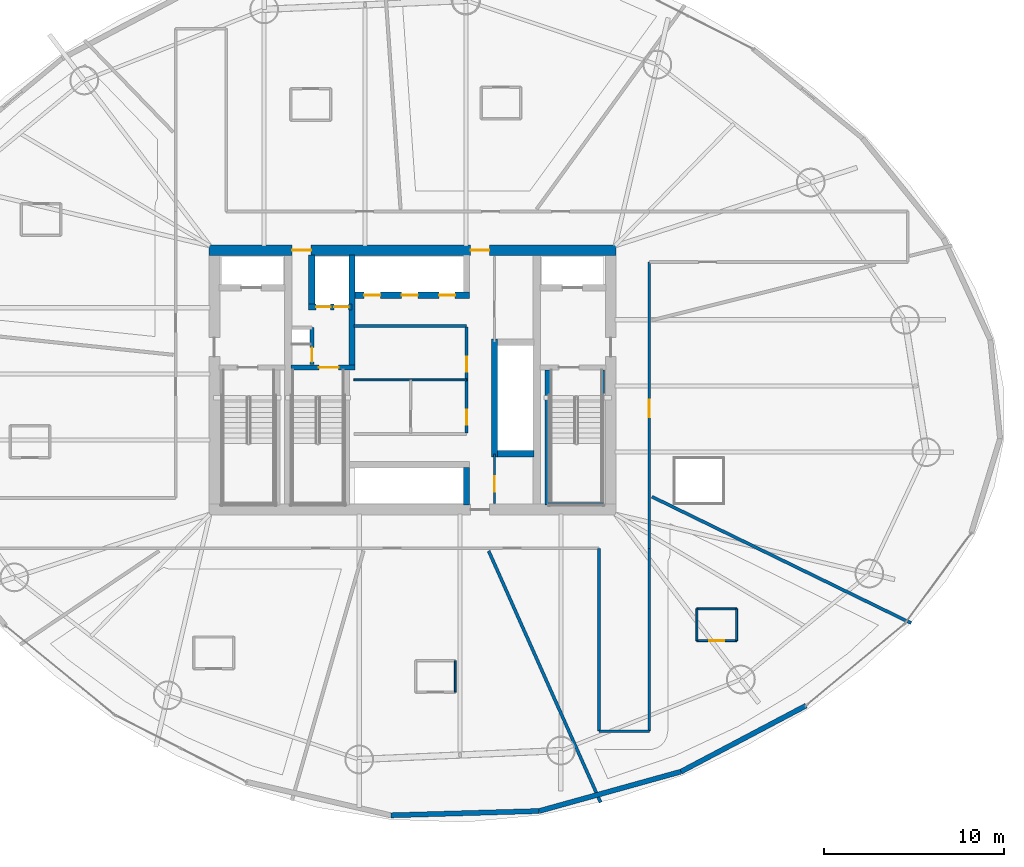
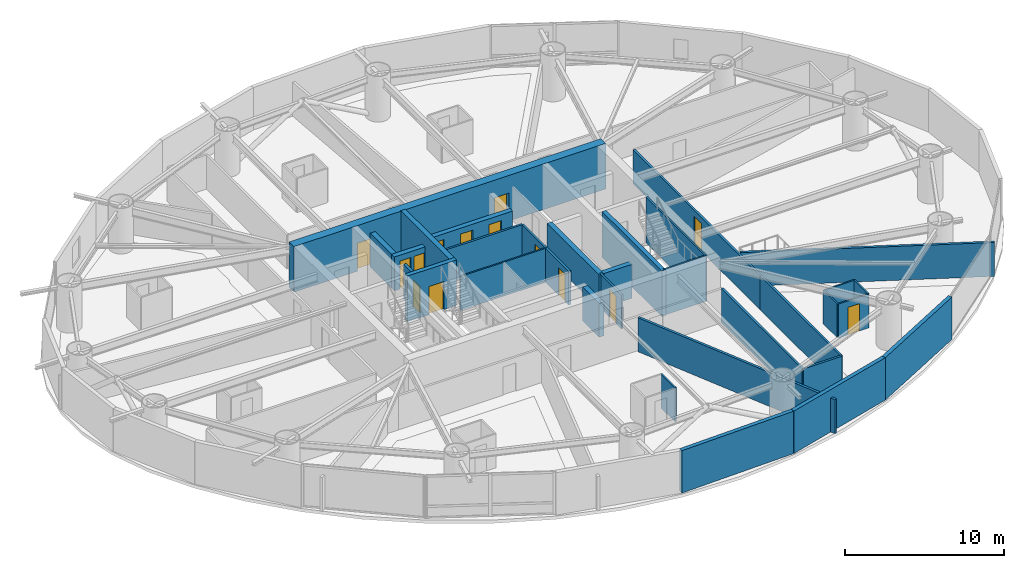
# One storey, part 15 of 20: 31 walls, 14 doors, 14 openings.
"""IFC4 building model written with IfcOpenShell, lengths in metres."""

from ifc_helpers import new_model, si_unit, direction, frame, frame_2d, origin, place, context, subcontext, project, spatial, rectangle, extrude, material, layer, layer_set, type_object, element, fill, save


model = new_model("IFC4")

# Units and contexts
model_context = context("Model", 3, precision=1e-05, world=origin(), true_north=direction((0.0, 1.0)))
body_context = subcontext(model_context, "Body", "Model", "MODEL_VIEW")
ifc_project = project(units=[si_unit("LENGTHUNIT", "METRE"), si_unit("AREAUNIT", "SQUARE_METRE"), si_unit("VOLUMEUNIT", "CUBIC_METRE"), si_unit("PLANEANGLEUNIT", "RADIAN"), si_unit("MASSUNIT", "GRAM", prefix="KILO")], contexts=[model_context])

# Site, building, storey
site_placement = place(None, origin())
site = spatial("IfcSite", under=ifc_project, at=site_placement, CompositionType="ELEMENT")
building_placement = place(site_placement, origin())
building = spatial("IfcBuilding", under=site, at=building_placement, Name="Bramvorn Convention Spire", CompositionType="ELEMENT")
storey_placement = place(building_placement, frame((0.0, 0.0, 58.89990234375)))
storey = spatial("IfcBuildingStorey", under=building, at=storey_placement, Name="L12", CompositionType="ELEMENT", Elevation=58.89990234375)

# Wall, openings, doors
ifc_material_1 = material(Name="Concrete C60/70", Category="concrete")
ifc_layer_1 = layer(ifc_material_1, 0.60009765625)
ifc_layer_set_1 = layer_set([ifc_layer_1], Name="Concrete C60/70 - WL-CORE-600")
wall_type_1 = type_object("IfcWallType", Name="WL-CORE-600", PredefinedType="SHEAR", material=ifc_layer_set_1)
wall_1_placement = place(storey_placement, frame((26.699951171875, 33.199951171875, 0.0), z_axis=(0.0, 0.0, 1.0), x_axis=(1.0, 0.0, 0.0)))
wall_1 = element("IfcWall", 1, at=wall_1_placement, inside=storey, type_object=wall_type_1, Name="L12 North RC core shear wall", PredefinedType="SHEAR", context=body_context, shape_type="SweptSolid", body=[
    extrude(rectangle(XDim=22.60009765625, YDim=0.60009765625, at=frame_2d((11.300048828125, 0.0))), origin(), (0.0, 0.0, 1.0), 3.5),
])
opening_1_placement = place(wall_1_placement, frame((4.6201171875, 0.0, 0.0)))
opening_1 = element("IfcOpeningElement", 2, at=opening_1_placement, cuts=wall_1, Name="Opening DL-105", PredefinedType="OPENING", context=body_context, shape_type="SweptSolid", body=[
    extrude(rectangle(XDim=1.050048828125, YDim=2.14990234375, at=frame_2d((0.52490234375, 1.074951171875))), frame((0.0, 0.31005859375, 0.0), z_axis=(0.0, -1.0, 0.0), x_axis=(1.0, 0.0, 0.0)), (0.0, 0.0, 1.0), 0.6201171875),
])
opening_2_placement = place(wall_1_placement, frame((14.52001953125, 0.0, 0.0)))
opening_2 = element("IfcOpeningElement", 3, at=opening_2_placement, cuts=wall_1, Name="Opening DL-105", PredefinedType="OPENING", context=body_context, shape_type="SweptSolid", body=[
    extrude(rectangle(XDim=1.050048828125, YDim=2.14990234375, at=frame_2d((0.52490234375, 1.074951171875))), frame((0.0, 0.31005859375, 0.0), z_axis=(0.0, -1.0, 0.0), x_axis=(1.0, 0.0, 0.0)), (0.0, 0.0, 1.0), 0.6201171875),
])
ifc_material_2 = material(Name="Smoke-Sealed Fire Lobby Timber-Core Door", Category="wood")
door_type_1 = type_object("IfcDoorType", Name="DR-LOBBY-1050", OperationType="NOTDEFINED", PredefinedType="DOOR", material=ifc_material_2)
door_1_placement = place(opening_1_placement, origin())
door_1 = element("IfcDoor", 4, at=door_1_placement, inside=storey, type_object=door_type_1, Name="L12 Service & Stair ST3 Lobby north corridor door", OperationType="SINGLE_SWING_LEFT", OverallHeight=2.14990234375, OverallWidth=1.050048828125, PredefinedType="DOOR", context=body_context, shape_type="SweptSolid", body=[
    extrude(rectangle(XDim=1.050048828125, YDim=2.14990234375, at=frame_2d((0.52490234375, 1.074951171875))), frame((0.0, 0.02490234375, 0.0), z_axis=(0.0, -1.0, 0.0), x_axis=(1.0, 0.0, 0.0)), (0.0, 0.0, 1.0), 0.050048828125),
])
fill(opening_1, door_1)
door_2_placement = place(opening_2_placement, origin())
door_2 = element("IfcDoor", 5, at=door_2_placement, inside=storey, type_object=door_type_1, Name="L12 North Lift Lobby fire door", OperationType="SINGLE_SWING_LEFT", OverallHeight=2.14990234375, OverallWidth=1.050048828125, PredefinedType="DOOR", context=body_context, shape_type="SweptSolid", body=[
    extrude(rectangle(XDim=1.050048828125, YDim=2.14990234375, at=frame_2d((0.52490234375, 1.074951171875))), frame((0.0, 0.02490234375, 0.0), z_axis=(0.0, -1.0, 0.0), x_axis=(1.0, 0.0, 0.0)), (0.0, 0.0, 1.0), 0.050048828125),
])
fill(opening_2, door_2)

# Wall
ifc_material_3 = material(Name="Concrete C50/60", Category="concrete")
ifc_layer_2 = layer(ifc_material_3, 0.35009765625)
ifc_layer_set_2 = layer_set([ifc_layer_2], Name="Concrete C50/60 - WL-CORE-INT-350")
wall_type_2 = type_object("IfcWallType", Name="WL-CORE-INT-350", PredefinedType="SHEAR", material=ifc_layer_set_2)
wall_2_placement = place(storey_placement, frame((34.639892578125, 26.68994140625, 0.0), z_axis=(0.0, 0.0, 1.0), x_axis=(0.0, 1.0, 0.0)))
element("IfcWall", 6, at=wall_2_placement, inside=storey, type_object=wall_type_2, Name="L12 SV east core shaft wall", PredefinedType="SHEAR", context=body_context, shape_type="SweptSolid", body=[
    extrude(rectangle(XDim=6.260009765625, YDim=0.35009765625, at=frame_2d((3.1298828125, 0.0))), origin(), (0.0, 0.0, 1.0), 3.5),
])

# Wall, openings, doors
wall_3_placement = place(storey_placement, frame((32.22998046875, 30.050048828125, 0.0), z_axis=(0.0, 0.0, 1.0), x_axis=(1.0, 0.0, 0.0)))
wall_3 = element("IfcWall", 7, at=wall_3_placement, inside=storey, type_object=wall_type_2, Name="L12 SV1/SV2 shaft front wall", PredefinedType="SHEAR", context=body_context, shape_type="SweptSolid", body=[
    extrude(rectangle(XDim=2.409912109375, YDim=0.35009765625, at=frame_2d((1.205078125, 0.0))), origin(), (0.0, 0.0, 1.0), 2.60009765625),
])
opening_3_placement = place(wall_3_placement, frame((0.419921875, 0.0, 0.0)))
opening_3 = element("IfcOpeningElement", 8, at=opening_3_placement, cuts=wall_3, Name="Opening LD-080", PredefinedType="OPENING", context=body_context, shape_type="SweptSolid", body=[
    extrude(rectangle(XDim=0.800048828125, YDim=2.14990234375, at=frame_2d((0.39990234375, 1.074951171875))), frame((0.0, 0.18505859375, 0.0), z_axis=(0.0, -1.0, 0.0), x_axis=(1.0, 0.0, 0.0)), (0.0, 0.0, 1.0), 0.3701171875),
])
opening_4_placement = place(wall_3_placement, frame((1.419921875, 0.0, 0.0)))
opening_4 = element("IfcOpeningElement", 9, at=opening_4_placement, cuts=wall_3, Name="Opening LD-080", PredefinedType="OPENING", context=body_context, shape_type="SweptSolid", body=[
    extrude(rectangle(XDim=0.800048828125, YDim=2.14990234375, at=frame_2d((0.39990234375, 1.074951171875))), frame((0.0, 0.18505859375, 0.0), z_axis=(0.0, -1.0, 0.0), x_axis=(1.0, 0.0, 0.0)), (0.0, 0.0, 1.0), 0.3701171875),
])
ifc_material_4 = material(Name="Service Lift Bi-Parting Landing Door", Category="steel")
door_type_2 = type_object("IfcDoorType", Name="DR-LIFT-LD-800", OperationType="NOTDEFINED", PredefinedType="DOOR", material=ifc_material_4)
door_3_placement = place(opening_3_placement, origin())
door_3 = element("IfcDoor", 10, at=door_3_placement, inside=storey, type_object=door_type_2, Name="L12 Lift SV1 Sliding Landing Door", OperationType="SLIDING_TO_LEFT", OverallHeight=2.14990234375, OverallWidth=0.800048828125, PredefinedType="DOOR", context=body_context, shape_type="SweptSolid", body=[
    extrude(rectangle(XDim=0.800048828125, YDim=2.14990234375, at=frame_2d((0.39990234375, 1.074951171875))), frame((0.0, 0.02490234375, 0.0), z_axis=(0.0, -1.0, 0.0), x_axis=(1.0, 0.0, 0.0)), (0.0, 0.0, 1.0), 0.050048828125),
])
fill(opening_3, door_3)
door_4_placement = place(opening_4_placement, origin())
door_4 = element("IfcDoor", 11, at=door_4_placement, inside=storey, type_object=door_type_2, Name="L12 Lift SV2 Sliding Landing Door", OperationType="SLIDING_TO_LEFT", OverallHeight=2.14990234375, OverallWidth=0.800048828125, PredefinedType="DOOR", context=body_context, shape_type="SweptSolid", body=[
    extrude(rectangle(XDim=0.800048828125, YDim=2.14990234375, at=frame_2d((0.39990234375, 1.074951171875))), frame((0.0, 0.02490234375, 0.0), z_axis=(0.0, -1.0, 0.0), x_axis=(1.0, 0.0, 0.0)), (0.0, 0.0, 1.0), 0.050048828125),
])
fill(opening_4, door_4)

# Walls
wall_4_placement = place(storey_placement, frame((32.39990234375, 30.219970703125, 0.0), z_axis=(0.0, 0.0, 1.0), x_axis=(0.0, 1.0, 0.0)))
element("IfcWall", 12, at=wall_4_placement, inside=storey, type_object=wall_type_2, Name="L12 SV1 west hoistway wall", PredefinedType="SHEAR", context=body_context, shape_type="SweptSolid", body=[
    extrude(rectangle(XDim=2.72998046875, YDim=0.35009765625, at=frame_2d((1.364990234375, 0.0))), origin(), (0.0, 0.0, 1.0), 2.60009765625),
])
wall_5_placement = place(storey_placement, frame((42.550048828125, 21.72998046875, 0.0), z_axis=(0.0, 0.0, 1.0), x_axis=(0.0, 1.0, 0.0)))
element("IfcWall", 13, at=wall_5_placement, inside=storey, type_object=wall_type_2, Name="L12 High-rise lift bank west wall", PredefinedType="SHEAR", context=body_context, shape_type="SweptSolid", body=[
    extrude(rectangle(XDim=6.5400390625, YDim=0.35009765625, at=frame_2d((3.27001953125, 0.0))), origin(), (0.0, 0.0, 1.0), 2.60009765625),
])
wall_6_placement = place(storey_placement, frame((42.719970703125, 21.89990234375, 0.0), z_axis=(0.0, 0.0, 1.0), x_axis=(1.0, 0.0, 0.0)))
element("IfcWall", 14, at=wall_6_placement, inside=storey, type_object=wall_type_2, Name="L12 High-rise lift bank south wall", PredefinedType="SHEAR", context=body_context, shape_type="SweptSolid", body=[
    extrude(rectangle(XDim=2.030029296875, YDim=0.35009765625, at=frame_2d((1.01513671875, 0.0))), origin(), (0.0, 0.0, 1.0), 2.60009765625),
])

# Wall, openings, doors
wall_7_placement = place(storey_placement, frame((34.81005859375, 30.699951171875, 0.0), z_axis=(0.0, 0.0, 1.0), x_axis=(1.0, 0.0, 0.0)))
wall_7 = element("IfcWall", 15, at=wall_7_placement, inside=storey, type_object=wall_type_2, Name="L12 Low-rise bank south landing wall", PredefinedType="SHEAR", context=body_context, shape_type="SweptSolid", body=[
    extrude(rectangle(XDim=6.35986328125, YDim=0.35009765625, at=frame_2d((3.179931640625, 0.0))), origin(), (0.0, 0.0, 1.0), 2.60009765625),
])
opening_5_placement = place(wall_7_placement, frame((0.5, 0.0, 0.0)))
opening_5 = element("IfcOpeningElement", 16, at=opening_5_placement, cuts=wall_7, Name="Opening LD-090", PredefinedType="OPENING", context=body_context, shape_type="SweptSolid", body=[
    extrude(rectangle(XDim=0.89990234375, YDim=2.14990234375, at=frame_2d((0.449951171875, 1.074951171875))), frame((0.0, 0.18505859375, 0.0), z_axis=(0.0, -1.0, 0.0), x_axis=(1.0, 0.0, 0.0)), (0.0, 0.0, 1.0), 0.3701171875),
])
opening_6_placement = place(wall_7_placement, frame((2.580078125, 0.0, 0.0)))
opening_6 = element("IfcOpeningElement", 17, at=opening_6_placement, cuts=wall_7, Name="Opening LD-090", PredefinedType="OPENING", context=body_context, shape_type="SweptSolid", body=[
    extrude(rectangle(XDim=0.89990234375, YDim=2.14990234375, at=frame_2d((0.449951171875, 1.074951171875))), frame((0.0, 0.18505859375, 0.0), z_axis=(0.0, -1.0, 0.0), x_axis=(1.0, 0.0, 0.0)), (0.0, 0.0, 1.0), 0.3701171875),
])
opening_7_placement = place(wall_7_placement, frame((4.659912109375, 0.0, 0.0)))
opening_7 = element("IfcOpeningElement", 18, at=opening_7_placement, cuts=wall_7, Name="Opening LD-090", PredefinedType="OPENING", context=body_context, shape_type="SweptSolid", body=[
    extrude(rectangle(XDim=0.89990234375, YDim=2.14990234375, at=frame_2d((0.449951171875, 1.074951171875))), frame((0.0, 0.18505859375, 0.0), z_axis=(0.0, -1.0, 0.0), x_axis=(1.0, 0.0, 0.0)), (0.0, 0.0, 1.0), 0.3701171875),
])
ifc_material_5 = material(Name="Bi-Parting Fire-Rated Lift Landing Door", Category="steel")
door_type_3 = type_object("IfcDoorType", Name="DR-LIFT-LD-900", OperationType="NOTDEFINED", PredefinedType="DOOR", material=ifc_material_5)
door_5_placement = place(opening_5_placement, origin())
door_5 = element("IfcDoor", 19, at=door_5_placement, inside=storey, type_object=door_type_3, Name="L12 Lift PL1 Sliding Landing Door", OperationType="SLIDING_TO_LEFT", OverallHeight=2.14990234375, OverallWidth=0.89990234375, PredefinedType="DOOR", context=body_context, shape_type="SweptSolid", body=[
    extrude(rectangle(XDim=0.89990234375, YDim=2.14990234375, at=frame_2d((0.449951171875, 1.074951171875))), frame((0.0, 0.02490234375, 0.0), z_axis=(0.0, -1.0, 0.0), x_axis=(1.0, 0.0, 0.0)), (0.0, 0.0, 1.0), 0.050048828125),
])
fill(opening_5, door_5)
door_6_placement = place(opening_6_placement, origin())
door_6 = element("IfcDoor", 20, at=door_6_placement, inside=storey, type_object=door_type_3, Name="L12 Lift PL2 Sliding Landing Door", OperationType="SLIDING_TO_LEFT", OverallHeight=2.14990234375, OverallWidth=0.89990234375, PredefinedType="DOOR", context=body_context, shape_type="SweptSolid", body=[
    extrude(rectangle(XDim=0.89990234375, YDim=2.14990234375, at=frame_2d((0.449951171875, 1.074951171875))), frame((0.0, 0.02490234375, 0.0), z_axis=(0.0, -1.0, 0.0), x_axis=(1.0, 0.0, 0.0)), (0.0, 0.0, 1.0), 0.050048828125),
])
fill(opening_6, door_6)
door_7_placement = place(opening_7_placement, origin())
door_7 = element("IfcDoor", 21, at=door_7_placement, inside=storey, type_object=door_type_3, Name="L12 Lift PL3 Sliding Landing Door", OperationType="SLIDING_TO_LEFT", OverallHeight=2.14990234375, OverallWidth=0.89990234375, PredefinedType="DOOR", context=body_context, shape_type="SweptSolid", body=[
    extrude(rectangle(XDim=0.89990234375, YDim=2.14990234375, at=frame_2d((0.449951171875, 1.074951171875))), frame((0.0, 0.02490234375, 0.0), z_axis=(0.0, -1.0, 0.0), x_axis=(1.0, 0.0, 0.0)), (0.0, 0.0, 1.0), 0.050048828125),
])
fill(opening_7, door_7)

# Walls
wall_8_placement = place(storey_placement, frame((41.0, 19.050048828125, 0.0), z_axis=(0.0, 0.0, 1.0), x_axis=(0.0, 1.0, 0.0)))
element("IfcWall", 22, at=wall_8_placement, inside=storey, type_object=wall_type_2, Name="L12 Mid-rise bank east cheek wall", PredefinedType="SHEAR", context=body_context, shape_type="SweptSolid", body=[
    extrude(rectangle(XDim=2.079833984375, YDim=0.35009765625, at=frame_2d((1.0400390625, 0.0))), origin(), (0.0, 0.0, 1.0), 2.60009765625),
])
ifc_material_6 = material(Name="Precast Concrete C40/50 with Bronze Terracotta Rainscreen", Category="masonry")
ifc_layer_3 = layer(ifc_material_6, 0.300048828125)
ifc_layer_set_3 = layer_set([ifc_layer_3], Name="Precast Concrete C40/50 with Bronze Terracotta Rainscreen - WL-EXT-BRONZE-300")
wall_type_3 = type_object("IfcWallType", Name="WL-EXT-BRONZE-300", PredefinedType="SOLIDWALL", material=ifc_layer_set_3)
wall_9_placement = place(storey_placement, frame((45.031494140625, 2.068115234375, 0.0), z_axis=(0.0, 0.0, 1.0), x_axis=(-0.999581948435, -0.028912425738, 0.0)))
element("IfcWall", 23, at=wall_9_placement, inside=storey, type_object=wall_type_3, Name="L12 expressed bronze Gothic lancet pier wall 19", PredefinedType="SOLIDWALL", context=body_context, shape_type="SweptSolid", body=[
    extrude(rectangle(XDim=8.241455078125, YDim=0.280029296875, at=frame_2d((4.12060546875, 0.0))), origin(), (0.0, 0.0, 1.0), 3.25),
])
wall_10_placement = place(storey_placement, frame((52.904052734375, 4.25537109375, 0.0), z_axis=(0.0, 0.0, 1.0), x_axis=(-0.96350420989, -0.267693177957, 0.0)))
element("IfcWall", 24, at=wall_10_placement, inside=storey, type_object=wall_type_3, Name="L12 expressed bronze Gothic lancet pier wall 20", PredefinedType="SOLIDWALL", context=body_context, shape_type="SweptSolid", body=[
    extrude(rectangle(XDim=8.170654296875, YDim=0.280029296875, at=frame_2d((4.08544921875, 0.0))), origin(), (0.0, 0.0, 1.0), 3.25),
])
wall_11_placement = place(storey_placement, frame((59.84228515625, 7.916259765625, 0.0), z_axis=(0.0, 0.0, 1.0), x_axis=(-0.884435063854, -0.466663280991, 0.0)))
element("IfcWall", 25, at=wall_11_placement, inside=storey, type_object=wall_type_3, Name="L12 expressed bronze Gothic lancet pier wall 21", PredefinedType="SOLIDWALL", context=body_context, shape_type="SweptSolid", body=[
    extrude(rectangle(XDim=7.8447265625, YDim=0.280029296875, at=frame_2d((3.92236328125, 0.0))), origin(), (0.0, 0.0, 1.0), 3.25),
])
ifc_material_7 = material(Name="Lightweight En-Suite & Wet-Wall Partition", Category="gypsum")
ifc_layer_4 = layer(ifc_material_7, 0.110107421875)
ifc_layer_set_4 = layer_set([ifc_layer_4], Name="Lightweight En-Suite & Wet-Wall Partition - WL-PART-110")
wall_type_4 = type_object("IfcWallType", Name="WL-PART-110", PredefinedType="PARTITIONING", material=ifc_layer_set_4)
wall_12_placement = place(storey_placement, frame((34.75, 26.0, 0.0), z_axis=(0.0, 0.0, 1.0), x_axis=(1.0, 0.0, 0.0)))
element("IfcWall", 26, at=wall_12_placement, inside=storey, type_object=wall_type_4, Name="L12 KA horizontal core divider", PredefinedType="PARTITIONING", context=body_context, shape_type="SweptSolid", body=[
    extrude(rectangle(XDim=6.25, YDim=0.110107421875, at=frame_2d((3.125, 0.0))), origin(), (0.0, 0.0, 1.0), 2.60009765625),
])
wall_13_placement = place(storey_placement, frame((40.371337890625, 8.663818359375, 0.0), z_axis=(0.0, 0.0, 1.0), x_axis=(0.0, 1.0, 0.0)))
element("IfcWall", 27, at=wall_13_placement, inside=storey, type_object=wall_type_4, Name="Hotel Suite 1208 en-suite east wall", PredefinedType="PARTITIONING", context=body_context, shape_type="SweptSolid", body=[
    extrude(rectangle(XDim=1.759765625, YDim=0.110107421875, at=frame_2d((0.8798828125, 0.0))), origin(), (0.0, 0.0, 1.0), 2.60009765625),
])

# Wall, opening, door
wall_14_placement = place(storey_placement, frame((53.78955078125, 11.531005859375, 0.0), z_axis=(0.0, 0.0, 1.0), x_axis=(1.0, 0.0, 0.0)))
wall_14 = element("IfcWall", 28, at=wall_14_placement, inside=storey, type_object=wall_type_4, Name="Hotel Suite 1209 en-suite south wall", PredefinedType="PARTITIONING", context=body_context, shape_type="SweptSolid", body=[
    extrude(rectangle(XDim=2.199951171875, YDim=0.110107421875, at=frame_2d((1.10009765625, 0.0))), origin(), (0.0, 0.0, 1.0), 2.60009765625),
])
opening_8_placement = place(wall_14_placement, frame((0.679931640625, 0.0, 0.0)))
opening_8 = element("IfcOpeningElement", 29, at=opening_8_placement, cuts=wall_14, Name="Opening DI-085", PredefinedType="OPENING", context=body_context, shape_type="SweptSolid", body=[
    extrude(rectangle(XDim=0.85009765625, YDim=2.10009765625, at=frame_2d((0.425048828125, 1.050048828125))), frame((0.0, 0.06494140625, 0.0), z_axis=(0.0, -1.0, 0.0), x_axis=(1.0, 0.0, 0.0)), (0.0, 0.0, 1.0), 0.130126953125),
])
ifc_material_8 = material(Name="En-Suite & Restroom Privacy Door", Category="wood")
door_type_4 = type_object("IfcDoorType", Name="DR-INT-850", OperationType="NOTDEFINED", PredefinedType="DOOR", material=ifc_material_8)
door_8_placement = place(opening_8_placement, origin())
door_8 = element("IfcDoor", 30, at=door_8_placement, inside=storey, type_object=door_type_4, Name="Hotel Suite 1209 En-Suite Bathroom door", OperationType="SINGLE_SWING_LEFT", OverallHeight=2.10009765625, OverallWidth=0.85009765625, PredefinedType="DOOR", context=body_context, shape_type="SweptSolid", body=[
    extrude(rectangle(XDim=0.85009765625, YDim=2.10009765625, at=frame_2d((0.425048828125, 1.050048828125))), frame((0.0, 0.02490234375, 0.0), z_axis=(0.0, -1.0, 0.0), x_axis=(1.0, 0.0, 0.0)), (0.0, 0.0, 1.0), 0.050048828125),
])
fill(opening_8, door_8)

# Walls
wall_15_placement = place(storey_placement, frame((53.78955078125, 13.291015625, 0.0), z_axis=(0.0, 0.0, 1.0), x_axis=(1.0, 0.0, 0.0)))
element("IfcWall", 31, at=wall_15_placement, inside=storey, type_object=wall_type_4, Name="Hotel Suite 1209 en-suite north wall", PredefinedType="PARTITIONING", context=body_context, shape_type="SweptSolid", body=[
    extrude(rectangle(XDim=2.199951171875, YDim=0.110107421875, at=frame_2d((1.10009765625, 0.0))), origin(), (0.0, 0.0, 1.0), 2.60009765625),
])
for number, where, z_axis, x_axis, name in (
    (32, (53.78955078125, 11.531005859375, 0.0), (0.0, 0.0, 1.0), (0.0, 1.0, 0.0), "Hotel Suite 1209 en-suite west wall"),
    (33, (55.989501953125, 11.531005859375, 0.0), (0.0, 0.0, 1.0), (0.0, 1.0, 0.0), "Hotel Suite 1209 en-suite east wall"),
):
    element("IfcWall", number, at=place(storey_placement, frame(where, z_axis=z_axis, x_axis=x_axis)), inside=storey, type_object=wall_type_4, Name=name, PredefinedType="PARTITIONING", context=body_context, shape_type="SweptSolid", body=[
        extrude(rectangle(XDim=1.760009765625, YDim=0.110107421875, at=frame_2d((0.8798828125, 0.0))), origin(), (0.0, 0.0, 1.0), 2.60009765625),
    ])

# Wall, opening, door
ifc_material_9 = material(Name="Metal-Stud Demountable Office Partition", Category="gypsum")
ifc_layer_5 = layer(ifc_material_9, 0.1298828125)
ifc_layer_set_5 = layer_set([ifc_layer_5], Name="Metal-Stud Demountable Office Partition - WL-PART-130")
wall_type_5 = type_object("IfcWallType", Name="WL-PART-130", PredefinedType="PARTITIONING", material=ifc_layer_set_5)
wall_16_placement = place(storey_placement, frame((42.550048828125, 19.14990234375, 0.0), z_axis=(0.0, 0.0, 1.0), x_axis=(0.0, 1.0, 0.0)))
wall_16 = element("IfcWall", 34, at=wall_16_placement, inside=storey, type_object=wall_type_5, Name="L12 KA SE store wall", PredefinedType="PARTITIONING", context=body_context, shape_type="SweptSolid", body=[
    extrude(rectangle(XDim=2.75, YDim=0.1298828125, at=frame_2d((1.375, 0.0))), origin(), (0.0, 0.0, 1.0), 2.60009765625),
])
opening_9_placement = place(wall_16_placement, frame((0.64990234375, 0.0, 0.0)))
opening_9 = element("IfcOpeningElement", 35, at=opening_9_placement, cuts=wall_16, Name="Opening DC-085", PredefinedType="OPENING", context=body_context, shape_type="SweptSolid", body=[
    extrude(rectangle(XDim=0.85009765625, YDim=2.10009765625, at=frame_2d((0.425048828125, 1.050048828125))), frame((0.0, 0.074951171875, 0.0), z_axis=(0.0, -1.0, 0.0), x_axis=(1.0, 0.0, 0.0)), (0.0, 0.0, 1.0), 0.14990234375),
])
ifc_material_10 = material(Name="Fire-Rated Core Washroom & IDF Door", Category="wood")
door_type_5 = type_object("IfcDoorType", Name="DR-CORE-850", OperationType="NOTDEFINED", PredefinedType="DOOR", material=ifc_material_10)
door_9_placement = place(opening_9_placement, origin())
door_9 = element("IfcDoor", 36, at=door_9_placement, inside=storey, type_object=door_type_5, Name="L12 Floor Housekeeping & Linen Store door", OperationType="SINGLE_SWING_LEFT", OverallHeight=2.10009765625, OverallWidth=0.85009765625, PredefinedType="DOOR", context=body_context, shape_type="SweptSolid", body=[
    extrude(rectangle(XDim=0.85009765625, YDim=2.10009765625, at=frame_2d((0.425048828125, 1.050048828125))), frame((0.0, 0.02490234375, 0.0), z_axis=(0.0, -1.0, 0.0), x_axis=(1.0, 0.0, 0.0)), (0.0, 0.0, 1.0), 0.050048828125),
])
fill(opening_9, door_9)

# Wall
ifc_material_11 = material(Name="Acoustic Metal-Stud Tenant/Corridor Partition", Category="gypsum")
ifc_layer_6 = layer(ifc_material_11, 0.14990234375)
ifc_layer_set_6 = layer_set([ifc_layer_6], Name="Acoustic Metal-Stud Tenant/Corridor Partition - WL-PART-150")
wall_type_6 = type_object("IfcWallType", Name="WL-PART-150", PredefinedType="PARTITIONING", material=ifc_layer_set_6)
wall_17_placement = place(storey_placement, frame((34.75, 29.0, 0.0), z_axis=(0.0, 0.0, 1.0), x_axis=(1.0, 0.0, 0.0)))
element("IfcWall", 37, at=wall_17_placement, inside=storey, type_object=wall_type_6, Name="L12 Low-rise lift vestibule south wall", PredefinedType="PARTITIONING", context=body_context, shape_type="SweptSolid", body=[
    extrude(rectangle(XDim=6.25, YDim=0.14990234375, at=frame_2d((3.125, 0.0))), origin(), (0.0, 0.0, 1.0), 2.60009765625),
])

# Wall, openings, doors
wall_18_placement = place(storey_placement, frame((41.0, 23.050048828125, 0.0), z_axis=(0.0, 0.0, 1.0), x_axis=(0.0, 1.0, 0.0)))
wall_18 = element("IfcWall", 38, at=wall_18_placement, inside=storey, type_object=wall_type_6, Name="L12 KA east core wall", PredefinedType="PARTITIONING", context=body_context, shape_type="SweptSolid", body=[
    extrude(rectangle(XDim=5.89990234375, YDim=0.14990234375, at=frame_2d((2.949951171875, 0.0))), origin(), (0.0, 0.0, 1.0), 2.60009765625),
])
opening_10_placement = place(wall_18_placement, frame((3.39990234375, 0.0, 0.0)))
opening_10 = element("IfcOpeningElement", 39, at=opening_10_placement, cuts=wall_18, Name="Opening DC-085", PredefinedType="OPENING", context=body_context, shape_type="SweptSolid", body=[
    extrude(rectangle(XDim=0.85009765625, YDim=2.10009765625, at=frame_2d((0.425048828125, 1.050048828125))), frame((0.0, 0.0849609375, 0.0), z_axis=(0.0, -1.0, 0.0), x_axis=(1.0, 0.0, 0.0)), (0.0, 0.0, 1.0), 0.169921875),
])
opening_11_placement = place(wall_18_placement, frame((0.449951171875, 0.0, 0.0)))
opening_11 = element("IfcOpeningElement", 40, at=opening_11_placement, cuts=wall_18, Name="Opening DC-085", PredefinedType="OPENING", context=body_context, shape_type="SweptSolid", body=[
    extrude(rectangle(XDim=0.85009765625, YDim=2.10009765625, at=frame_2d((0.425048828125, 1.050048828125))), frame((0.0, 0.0849609375, 0.0), z_axis=(0.0, -1.0, 0.0), x_axis=(1.0, 0.0, 0.0)), (0.0, 0.0, 1.0), 0.169921875),
])
door_10_placement = place(opening_10_placement, origin())
door_10 = element("IfcDoor", 41, at=door_10_placement, inside=storey, type_object=door_type_5, Name="L12 Core Linen & Equipment Store door", OperationType="SINGLE_SWING_LEFT", OverallHeight=2.10009765625, OverallWidth=0.85009765625, PredefinedType="DOOR", context=body_context, shape_type="SweptSolid", body=[
    extrude(rectangle(XDim=0.85009765625, YDim=2.10009765625, at=frame_2d((0.425048828125, 1.050048828125))), frame((0.0, 0.02490234375, 0.0), z_axis=(0.0, -1.0, 0.0), x_axis=(1.0, 0.0, 0.0)), (0.0, 0.0, 1.0), 0.050048828125),
])
fill(opening_10, door_10)
door_11_placement = place(opening_11_placement, origin())
door_11 = element("IfcDoor", 42, at=door_11_placement, inside=storey, type_object=door_type_5, Name="L12 Accessible Core Restroom door", OperationType="SINGLE_SWING_LEFT", OverallHeight=2.10009765625, OverallWidth=0.85009765625, PredefinedType="DOOR", context=body_context, shape_type="SweptSolid", body=[
    extrude(rectangle(XDim=0.85009765625, YDim=2.10009765625, at=frame_2d((0.425048828125, 1.050048828125))), frame((0.0, 0.02490234375, 0.0), z_axis=(0.0, -1.0, 0.0), x_axis=(1.0, 0.0, 0.0)), (0.0, 0.0, 1.0), 0.050048828125),
])
fill(opening_11, door_11)

# Wall, opening, door
wall_19_placement = place(storey_placement, frame((51.14990234375, 16.64990234375, 0.0), z_axis=(0.0, 0.0, 1.0), x_axis=(0.0, 1.0, 0.0)))
wall_19 = element("IfcWall", 43, at=wall_19_placement, inside=storey, type_object=wall_type_6, Name="L12 East ring corridor wall", PredefinedType="PARTITIONING", context=body_context, shape_type="SweptSolid", body=[
    extrude(rectangle(XDim=15.900146484375, YDim=0.14990234375, at=frame_2d((7.9501953125, 0.0))), origin(), (0.0, 0.0, 1.0), 2.60009765625),
])
opening_12_placement = place(wall_19_placement, frame((7.29248046875, 0.0, 0.0)))
opening_12 = element("IfcOpeningElement", 44, at=opening_12_placement, cuts=wall_19, Name="Opening DH-095", PredefinedType="OPENING", context=body_context, shape_type="SweptSolid", body=[
    extrude(rectangle(XDim=0.949951171875, YDim=2.14990234375, at=frame_2d((0.47509765625, 1.074951171875))), frame((0.0, 0.0849609375, 0.0), z_axis=(0.0, -1.0, 0.0), x_axis=(1.0, 0.0, 0.0)), (0.0, 0.0, 1.0), 0.169921875),
])
ifc_material_12 = material(Name="Solid-Core Acoustic Guestroom Entry Door", Category="wood")
door_type_6 = type_object("IfcDoorType", Name="DR-HOTEL-950", OperationType="NOTDEFINED", PredefinedType="DOOR", material=ifc_material_12)
door_12_placement = place(opening_12_placement, origin())
door_12 = element("IfcDoor", 45, at=door_12_placement, inside=storey, type_object=door_type_6, Name="L12 Hospitality Salon 10 door", OperationType="SINGLE_SWING_LEFT", OverallHeight=2.14990234375, OverallWidth=0.949951171875, PredefinedType="DOOR", context=body_context, shape_type="SweptSolid", body=[
    extrude(rectangle(XDim=0.949951171875, YDim=2.14990234375, at=frame_2d((0.47509765625, 1.074951171875))), frame((0.0, 0.02490234375, 0.0), z_axis=(0.0, -1.0, 0.0), x_axis=(1.0, 0.0, 0.0)), (0.0, 0.0, 1.0), 0.050048828125),
])
fill(opening_12, door_12)

# Walls
for number, where, z_axis, x_axis, name in (
    (46, (48.35009765625, 6.5, 0.0), (0.0, 0.0, 1.0), (0.0, 1.0, 0.0), "L12 SE pinwheel wing west wall"),
    (47, (51.14990234375, 6.5, 0.0), (0.0, 0.0, 1.0), (0.0, 1.0, 0.0), "L12 SE pinwheel wing east wall"),
):
    element("IfcWall", number, at=place(storey_placement, frame(where, z_axis=z_axis, x_axis=x_axis)), inside=storey, type_object=wall_type_6, Name=name, PredefinedType="PARTITIONING", context=body_context, shape_type="SweptSolid", body=[
        extrude(rectangle(XDim=10.14990234375, YDim=0.14990234375, at=frame_2d((5.074951171875, 0.0))), origin(), (0.0, 0.0, 1.0), 2.60009765625),
    ])
wall_20_placement = place(storey_placement, frame((48.35009765625, 6.5, 0.0), z_axis=(0.0, 0.0, 1.0), x_axis=(1.0, 0.0, 0.0)))
element("IfcWall", 48, at=wall_20_placement, inside=storey, type_object=wall_type_6, Name="L12 SE pinwheel end wall", PredefinedType="PARTITIONING", context=body_context, shape_type="SweptSolid", body=[
    extrude(rectangle(XDim=2.7998046875, YDim=0.14990234375, at=frame_2d((1.39990234375, 0.0))), origin(), (0.0, 0.0, 1.0), 2.60009765625),
])
ifc_material_13 = material(Name="Double-Stud Acoustic Hotel/Suite Partition", Category="gypsum")
ifc_layer_7 = layer(ifc_material_13, 0.175048828125)
ifc_layer_set_7 = layer_set([ifc_layer_7], Name="Double-Stud Acoustic Hotel/Suite Partition - WL-PART-175")
wall_type_7 = type_object("IfcWallType", Name="WL-PART-175", PredefinedType="PARTITIONING", material=ifc_layer_set_7)
wall_21_placement = place(storey_placement, frame((42.22509765625, 16.510009765625, 0.0), z_axis=(0.0, 0.0, 1.0), x_axis=(0.40674432495, -0.913542037413, 0.0)))
element("IfcWall", 49, at=wall_21_placement, inside=storey, type_object=wall_type_7, Name="L12 Guestroom demising wall 8", PredefinedType="PARTITIONING", context=body_context, shape_type="SweptSolid", body=[
    extrude(rectangle(XDim=15.289794921875, YDim=0.175048828125, at=frame_2d((7.64501953125, 0.0))), origin(), (0.0, 0.0, 1.0), 2.60009765625),
])
wall_22_placement = place(storey_placement, frame((51.2900390625, 19.51806640625, 0.0), z_axis=(0.0, 0.0, 1.0), x_axis=(0.898792914329, -0.438373467664, 0.0)))
element("IfcWall", 50, at=wall_22_placement, inside=storey, type_object=wall_type_7, Name="L12 Guestroom demising wall 9", PredefinedType="PARTITIONING", context=body_context, shape_type="SweptSolid", body=[
    extrude(rectangle(XDim=16.01318359375, YDim=0.175048828125, at=frame_2d((8.006591796875, 0.0))), origin(), (0.0, 0.0, 1.0), 2.60009765625),
])

# Wall, opening, door
ifc_material_14 = material(Name="Gypsum Shaftwall & Rockwool Core Partition", Category="gypsum")
ifc_layer_8 = layer(ifc_material_14, 0.199951171875)
ifc_layer_set_8 = layer_set([ifc_layer_8], Name="Gypsum Shaftwall & Rockwool Core Partition - WL-PART-200-FR")
wall_type_8 = type_object("IfcWallType", Name="WL-PART-200-FR", PredefinedType="PARTITIONING", material=ifc_layer_set_8)
wall_23_placement = place(storey_placement, frame((32.419921875, 26.860107421875, 0.0), z_axis=(0.0, 0.0, 1.0), x_axis=(0.0, 1.0, 0.0)))
wall_23 = element("IfcWall", 51, at=wall_23_placement, inside=storey, type_object=wall_type_8, Name="L12 Telecom riser east wall", PredefinedType="PARTITIONING", context=body_context, shape_type="SweptSolid", body=[
    extrude(rectangle(XDim=2.039794921875, YDim=0.199951171875, at=frame_2d((1.02001953125, 0.0))), origin(), (0.0, 0.0, 1.0), 2.60009765625),
])
opening_13_placement = place(wall_23_placement, frame((0.139892578125, 0.0, 0.0)))
opening_13 = element("IfcOpeningElement", 52, at=opening_13_placement, cuts=wall_23, Name="Opening DR-080", PredefinedType="OPENING", context=body_context, shape_type="SweptSolid", body=[
    extrude(rectangle(XDim=0.800048828125, YDim=2.050048828125, at=frame_2d((0.39990234375, 1.02490234375))), frame((0.0, 0.10986328125, 0.0), z_axis=(0.0, -1.0, 0.0), x_axis=(1.0, 0.0, 0.0)), (0.0, 0.0, 1.0), 0.219970703125),
])
ifc_material_15 = material(Name="Flush Steel Riser Access Door", Category="steel")
door_type_7 = type_object("IfcDoorType", Name="DR-RISER-800", OperationType="NOTDEFINED", PredefinedType="DOOR", material=ifc_material_15)
door_13_placement = place(opening_13_placement, origin())
door_13 = element("IfcDoor", 53, at=door_13_placement, inside=storey, type_object=door_type_7, Name="L12 Telecom riser access door", OperationType="SINGLE_SWING_RIGHT", OverallHeight=2.050048828125, OverallWidth=0.800048828125, PredefinedType="DOOR", context=body_context, shape_type="SweptSolid", body=[
    extrude(rectangle(XDim=0.800048828125, YDim=2.050048828125, at=frame_2d((0.39990234375, 1.02490234375))), frame((0.0, 0.02490234375, 0.0), z_axis=(0.0, -1.0, 0.0), x_axis=(1.0, 0.0, 0.0)), (0.0, 0.0, 1.0), 0.050048828125),
])
fill(opening_13, door_13)

# Wall
ifc_layer_9 = layer(ifc_material_3, 0.300048828125)
ifc_layer_set_9 = layer_set([ifc_layer_9], Name="Concrete C50/60 - WL-POD-STAIR-300")
wall_type_9 = type_object("IfcWallType", Name="WL-POD-STAIR-300", PredefinedType="SHEAR", material=ifc_layer_set_9)
wall_24_placement = place(storey_placement, frame((45.510009765625, 19.050048828125, 0.0), z_axis=(0.0, 0.0, 1.0), x_axis=(0.0, 1.0, 0.0)))
element("IfcWall", 54, at=wall_24_placement, inside=storey, type_object=wall_type_9, Name="L12 ST2 west bearing wall", PredefinedType="SHEAR", context=body_context, shape_type="SweptSolid", body=[
    extrude(rectangle(XDim=7.5, YDim=0.300048828125, at=frame_2d((3.75, 0.0))), origin(), (0.0, 0.0, 1.0), 3.5),
])

# Wall, opening, door
wall_25_placement = place(storey_placement, frame((31.25, 26.68994140625, 0.0), z_axis=(0.0, 0.0, 1.0), x_axis=(1.0, 0.0, 0.0)))
wall_25 = element("IfcWall", 55, at=wall_25_placement, inside=storey, type_object=wall_type_9, Name="L12 ST3 north lobby wall", PredefinedType="SHEAR", context=body_context, shape_type="SweptSolid", body=[
    extrude(rectangle(XDim=3.56005859375, YDim=0.300048828125, at=frame_2d((1.780029296875, 0.0))), origin(), (0.0, 0.0, 1.0), 3.5),
])
opening_14_placement = place(wall_25_placement, frame((1.550048828125, 0.0, 0.0)))
opening_14 = element("IfcOpeningElement", 56, at=opening_14_placement, cuts=wall_25, Name="Opening DS-110", PredefinedType="OPENING", context=body_context, shape_type="SweptSolid", body=[
    extrude(rectangle(XDim=1.10009765625, YDim=2.14990234375, at=frame_2d((0.550048828125, 1.074951171875))), frame((0.0, 0.159912109375, 0.0), z_axis=(0.0, -1.0, 0.0), x_axis=(1.0, 0.0, 0.0)), (0.0, 0.0, 1.0), 0.320068359375),
])
ifc_material_16 = material(Name="Fire-Rated Hollow Steel Stairwell Door", Category="steel")
door_type_8 = type_object("IfcDoorType", Name="DR-STAIR-1100", OperationType="NOTDEFINED", PredefinedType="DOOR", material=ifc_material_16)
door_14_placement = place(opening_14_placement, origin())
door_14 = element("IfcDoor", 57, at=door_14_placement, inside=storey, type_object=door_type_8, Name="L12 Stair ST3 fire door", OperationType="SINGLE_SWING_LEFT", OverallHeight=2.14990234375, OverallWidth=1.10009765625, PredefinedType="DOOR", context=body_context, shape_type="SweptSolid", body=[
    extrude(rectangle(XDim=1.10009765625, YDim=2.14990234375, at=frame_2d((0.550048828125, 1.074951171875))), frame((0.0, 0.02490234375, 0.0), z_axis=(0.0, -1.0, 0.0), x_axis=(1.0, 0.0, 0.0)), (0.0, 0.0, 1.0), 0.050048828125),
])
fill(opening_14, door_14)

# Walls
ifc_layer_10 = layer(ifc_material_3, 0.1201171875)
ifc_layer_set_10 = layer_set([ifc_layer_10], Name="Concrete C50/60 - WL-STAIR-RC-120")
wall_type_10 = type_object("IfcWallType", Name="WL-STAIR-RC-120", PredefinedType="SHEAR", material=ifc_layer_set_10)
wall_26_placement = place(storey_placement, frame((48.60498046875, 19.10009765625, 0.0), z_axis=(0.0, 0.0, 1.0), x_axis=(0.0, 1.0, 0.0)))
element("IfcWall", 58, at=wall_26_placement, inside=storey, type_object=wall_type_10, Name="L12 ST2 east bearing shear wall", PredefinedType="SHEAR", context=body_context, shape_type="SweptSolid", body=[
    extrude(rectangle(XDim=7.449951171875, YDim=0.1201171875, at=frame_2d((3.72509765625, 0.0))), origin(), (0.0, 0.0, 1.0), 3.5),
])
wall_27_placement = place(storey_placement, frame((45.510009765625, 19.159912109375, 0.0), z_axis=(0.0, 0.0, 1.0), x_axis=(1.0, 0.0, 0.0)))
element("IfcWall", 59, at=wall_27_placement, inside=storey, type_object=wall_type_10, Name="L12 ST2 south bearing shear wall", PredefinedType="SHEAR", context=body_context, shape_type="SweptSolid", body=[
    extrude(rectangle(XDim=3.094970703125, YDim=0.1201171875, at=frame_2d((1.54736328125, 0.0))), origin(), (0.0, 0.0, 1.0), 3.5),
])

save(model, "model.ifc")
